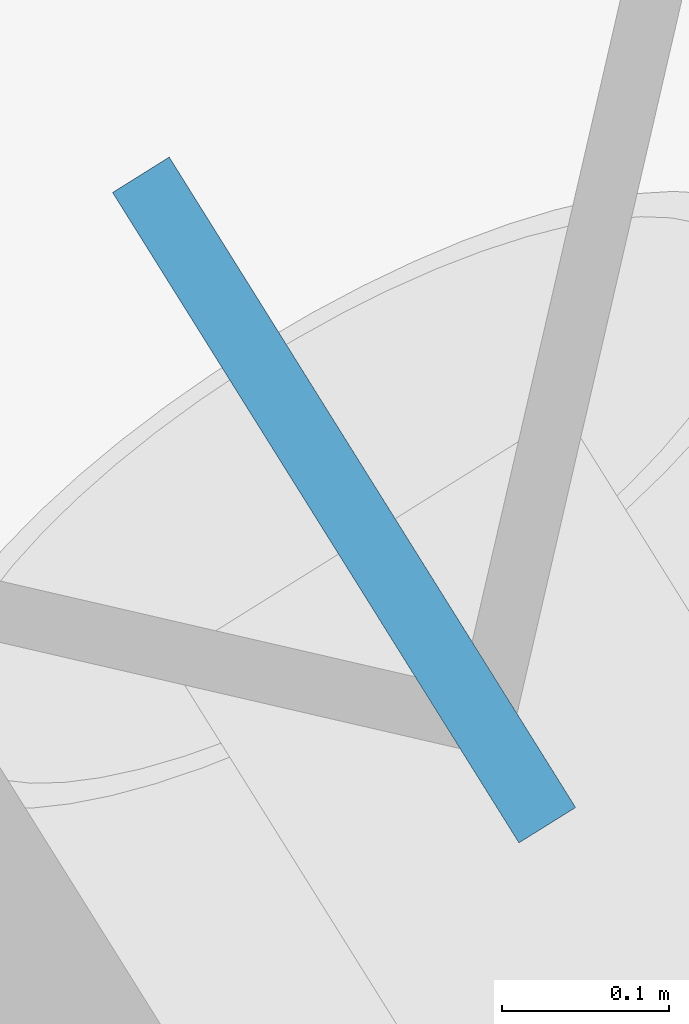
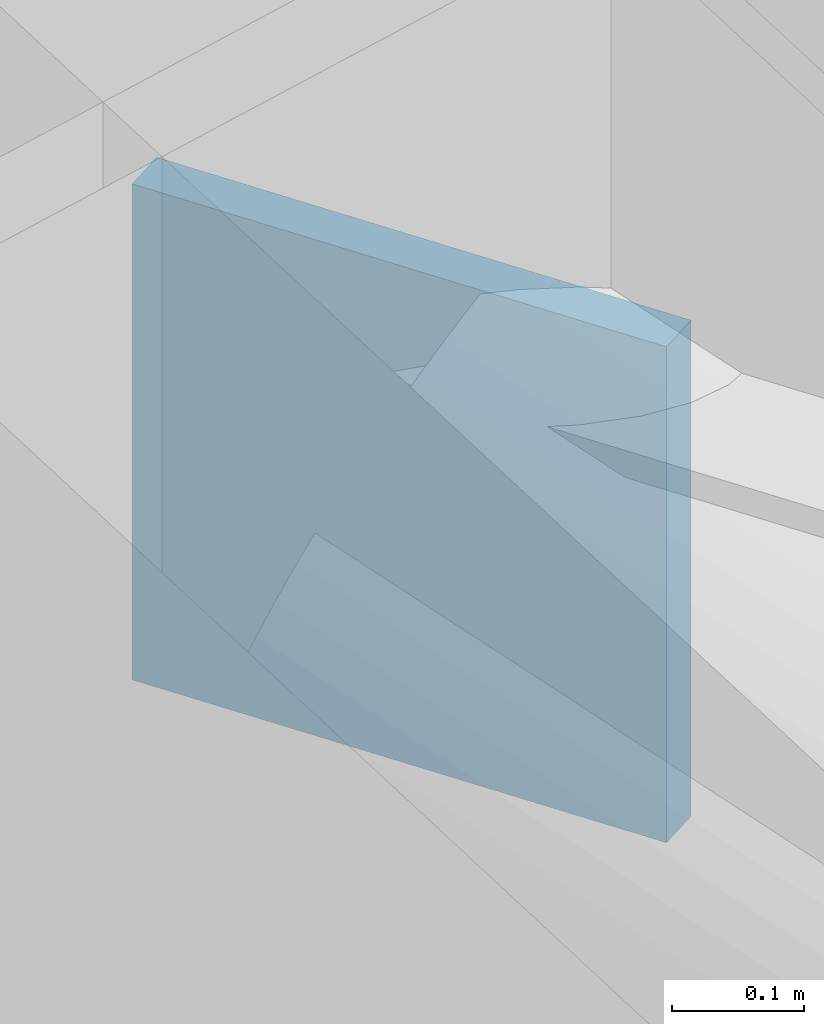
# One storey, part 17 of 18: 1 discrete accessory.
"""IFC4 building model written with IfcOpenShell, lengths in metres."""

from ifc_helpers import new_model, si_unit, direction, frame, origin, origin_2d, place, context, subcontext, project, spatial, rectangle, extrude, material, type_object, element, save


model = new_model("IFC4")

# Units and contexts
model_context = context("Model", 3, precision=1e-05, world=origin(), true_north=direction((0.0, 1.0)))
body_context = subcontext(model_context, "Body", "Model", "MODEL_VIEW")
ifc_project = project(units=[si_unit("LENGTHUNIT", "METRE"), si_unit("AREAUNIT", "SQUARE_METRE"), si_unit("VOLUMEUNIT", "CUBIC_METRE"), si_unit("PLANEANGLEUNIT", "RADIAN"), si_unit("MASSUNIT", "GRAM", prefix="KILO")], contexts=[model_context])

# Site, building, storey
site_placement = place(None, origin())
site = spatial("IfcSite", under=ifc_project, at=site_placement, CompositionType="ELEMENT")
building_placement = place(site_placement, origin())
building = spatial("IfcBuilding", under=site, at=building_placement, Name="Tavrogorsk Clinical Tower", CompositionType="ELEMENT")
storey_placement = place(building_placement, frame((0.0, 0.0, 47.39990234375)))
storey = spatial("IfcBuildingStorey", under=building, at=storey_placement, Name="L09", CompositionType="ELEMENT", Elevation=47.39990234375)

# Discrete accessory
ifc_material = material(Name="Structural steel S440", Category="steel")
discrete_accessory_type = type_object("IfcDiscreteAccessoryType", Name="GussetPlateBracket_25", PredefinedType="BRACKET", material=ifc_material)
discrete_accessory_placement = place(storey_placement, frame((36.65380859375, 14.481689453125, 2.667724609375), z_axis=(0.0, 0.0, 1.0), x_axis=(-0.529919264233, 0.848048096156, 0.0)))
element("IfcDiscreteAccessory", 1, at=discrete_accessory_placement, inside=storey, type_object=discrete_accessory_type, Name="L09 Brace Gusset Plate EXOCRN-L09-2-B", PredefinedType="BRACKET", context=body_context, shape_type="SweptSolid", body=[
    extrude(rectangle(XDim=0.4599609375, YDim=0.0400390625, at=origin_2d()), origin(), (0.0, 0.0, 1.0), 0.4599609375),
])

save(model, "model.ifc")
